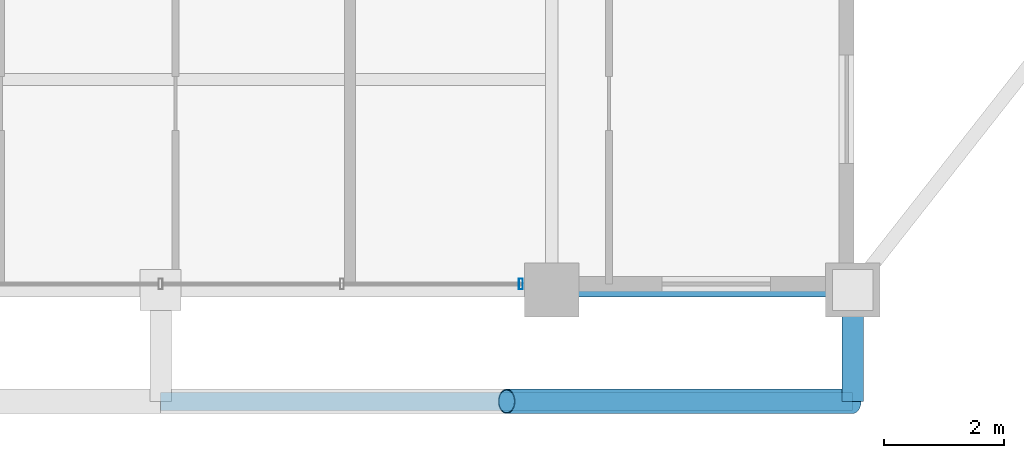
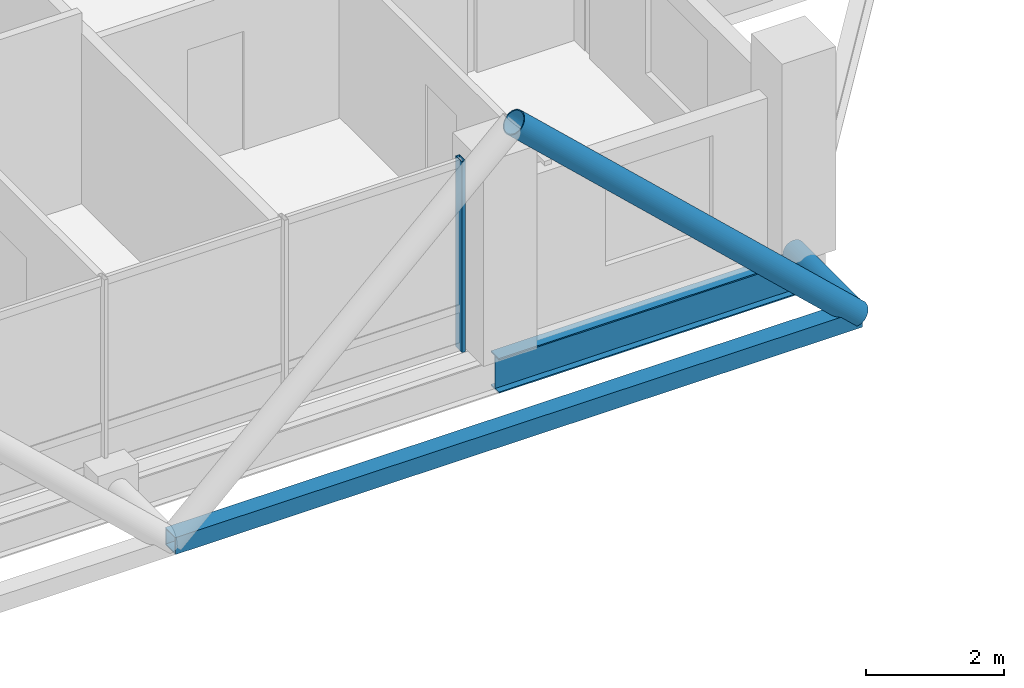
# One storey, part 6 of 24: 4 members, 1 beam, 1 element without a shape of its own.
"""IFC4 building model written with IfcOpenShell, lengths in metres."""

from ifc_helpers import new_model, si_unit, direction, frame, origin, origin_2d, place, context, subcontext, project, spatial, hollow_rectangle, hollow_circle, i_section, extrude, material, layer, layer_set, material_profile, profile_set, type_object, element, aggregate, save


model = new_model("IFC4")

# Units and contexts
model_context = context("Model", 3, precision=1e-05, world=origin(), true_north=direction((0.0, 1.0)))
body_context = subcontext(model_context, "Body", "Model", "MODEL_VIEW")
ifc_project = project(units=[si_unit("LENGTHUNIT", "METRE"), si_unit("AREAUNIT", "SQUARE_METRE"), si_unit("VOLUMEUNIT", "CUBIC_METRE"), si_unit("PLANEANGLEUNIT", "RADIAN"), si_unit("MASSUNIT", "GRAM", prefix="KILO")], contexts=[model_context])

# Site, building, storey
site_placement = place(None, origin())
site = spatial("IfcSite", under=ifc_project, at=site_placement, CompositionType="ELEMENT")
building_placement = place(site_placement, origin())
building = spatial("IfcBuilding", under=site, at=building_placement, Name="Barlavira Tower and Art Museum", CompositionType="ELEMENT")
storey_placement = place(building_placement, frame((0.0, 0.0, 240.300048828125)))
storey = spatial("IfcBuildingStorey", under=building, at=storey_placement, Name="L62", CompositionType="ELEMENT", Elevation=240.300048828125)

# Curtain wall, member
ifc_material_1 = material(Name="Low-iron coastal laminated glass", Category="glass")
ifc_layer = layer(ifc_material_1, 0.2099609375, Name="Low-iron coastal laminated glass")
ifc_layer_set = layer_set([ifc_layer], Name="Low-iron coastal laminated glass")
curtain_wall_type = type_object("IfcCurtainWallType", Name="Pale-Metal Unitised Curtain Wall Zone 4", PredefinedType="NOTDEFINED", material=ifc_layer_set)
curtain_wall_placement = place(storey_placement, origin())
curtain_wall = element("IfcCurtainWall", 1, at=curtain_wall_placement, inside=storey, type_object=curtain_wall_type, Name="L62 Curtain Wall CW4-L62-S-B2", PredefinedType="NOTDEFINED")
ifc_material_2 = material(Name="Pale anodised aluminium", Category="aluminium")
ifc_material_profile_1 = material_profile(ifc_material_2, hollow_rectangle(XDim=0.06494140625, YDim=0.179931640625, WallThickness=0.00390625, at=origin_2d()), Name="ALU-MULL 65x180x4")
ifc_profile_set_1 = profile_set([ifc_material_profile_1], Name="Pale anodised aluminium")
member_type_1 = type_object("IfcMemberType", Name="Curtain Wall Pale-Metal Mullion 65x180", PredefinedType="MULLION", material=ifc_profile_set_1)
member_1_placement = place(storey_placement, frame((5.985107421875, -19.89990234375, 0.0), z_axis=(0.0, 0.0, 1.0), x_axis=(1.0, 0.0, 0.0)))
member_1 = element("IfcMember", 2, at=member_1_placement, type_object=member_type_1, Name="CW4-L62-S-B2 Mullion 4", PredefinedType="MULLION", context=body_context, shape_type="SweptSolid", body=[
    extrude(hollow_rectangle(XDim=0.06494140625, YDim=0.179931640625, WallThickness=0.00390625, at=origin_2d()), origin(), (0.0, 0.0, 1.0), 3.3798828125),
])
aggregate(curtain_wall, [member_1])

# Members
ifc_material_3 = material(Name="Steel S355", Category="steel")
ifc_material_profile_2 = material_profile(ifc_material_3, hollow_circle(Radius=0.203125, WallThickness=0.01611328125, at=origin_2d()), Name="CHS 406.4x16.0")
ifc_profile_set_2 = profile_set([ifc_material_profile_2], Name="Steel S355")
member_type_2 = type_object("IfcMemberType", Name="Pale-Metal Exoskeleton Diagrid Tube CHS 406x16 Steel S355", PredefinedType="BRACE", material=ifc_profile_set_2)
member_2_placement = place(storey_placement, frame((11.5, -21.85009765625, -0.1201171875), z_axis=(-0.728934650808, 0.0, 0.684583285548), x_axis=(0.0, -1.0, 0.0)))
element("IfcMember", 3, at=member_2_placement, inside=storey, type_object=member_type_2, Name="L62 Exoskeleton Diagrid Tube S", PredefinedType="BRACE", context=body_context, shape_type="SweptSolid", body=[
    extrude(hollow_circle(Radius=0.203125, WallThickness=0.01611328125, at=origin_2d()), origin(), (0.0, 0.0, 1.0), 7.88818359375),
])
ifc_material_profile_3 = material_profile(ifc_material_3, hollow_circle(Radius=0.177734375, WallThickness=0.01611328125, at=origin_2d()), Name="CHS 355.6x16.0")
ifc_profile_set_3 = profile_set([ifc_material_profile_3], Name="Steel S355")
member_type_3 = type_object("IfcMemberType", Name="Pale-Metal Exoskeleton Tie Strut CHS 356x16 Steel S355", PredefinedType="STRUT", material=ifc_profile_set_3)
member_3_placement = place(storey_placement, frame((11.5, -21.85009765625, -0.1201171875), z_axis=(0.0, 1.0, 0.0), x_axis=(-1.0, 0.0, 0.0)))
element("IfcMember", 4, at=member_3_placement, inside=storey, type_object=member_type_3, Name="L62 Exoskeleton Tie Strut S3", PredefinedType="STRUT", context=body_context, shape_type="SweptSolid", body=[
    extrude(hollow_circle(Radius=0.177734375, WallThickness=0.01611328125, at=origin_2d()), origin(), (0.0, 0.0, 1.0), 1.85009765625),
])
ifc_material_profile_4 = material_profile(ifc_material_3, hollow_rectangle(XDim=0.300048828125, YDim=0.300048828125, WallThickness=0.01611328125, at=origin_2d()), Name="SHS 300x300x16.0")
ifc_profile_set_4 = profile_set([ifc_material_profile_4], Name="Steel S355")
member_type_4 = type_object("IfcMemberType", Name="Pale-Metal Upper Ring Strut SHS 300x300x16 Steel S355", PredefinedType="STRUT", material=ifc_profile_set_4)
member_4_placement = place(storey_placement, frame((0.0, -21.85009765625, -0.1201171875), z_axis=(1.0, 0.0, 0.0), x_axis=(0.0, 1.0, 0.0)))
element("IfcMember", 5, at=member_4_placement, inside=storey, type_object=member_type_4, Name="L62 Exoskeleton Ring Strut S", PredefinedType="STRUT", context=body_context, shape_type="SweptSolid", body=[
    extrude(hollow_rectangle(XDim=0.300048828125, YDim=0.300048828125, WallThickness=0.01611328125, at=origin_2d()), origin(), (0.0, 0.0, 1.0), 11.5),
])

# Beam
ifc_material_profile_5 = material_profile(ifc_material_3, i_section(OverallWidth=0.22998046875, OverallDepth=0.616943359375, WebThickness=0.01318359375, FlangeThickness=0.022216796875, at=origin_2d()), Name="W610x140.0")
ifc_profile_set_5 = profile_set([ifc_material_profile_5], Name="Steel S355")
beam_type = type_object("IfcBeamType", Name="Upper Shaft Spandrel Edge Beam W610x140 Steel S355", PredefinedType="SPANDREL", material=ifc_profile_set_5)
beam_placement = place(storey_placement, frame((6.5, -20.0, -0.528564453125), z_axis=(1.0, 0.0, 0.0), x_axis=(0.0, 1.0, 0.0)))
element("IfcBeam", 6, at=beam_placement, inside=storey, type_object=beam_type, Name="L62 Spandrel 3", PredefinedType="SPANDREL", context=body_context, shape_type="SweptSolid", body=[
    extrude(i_section(OverallWidth=0.22998046875, OverallDepth=0.616943359375, WebThickness=0.01318359375, FlangeThickness=0.022216796875, at=origin_2d()), origin(), (0.0, 0.0, 1.0), 5.0),
])

save(model, "model.ifc")
